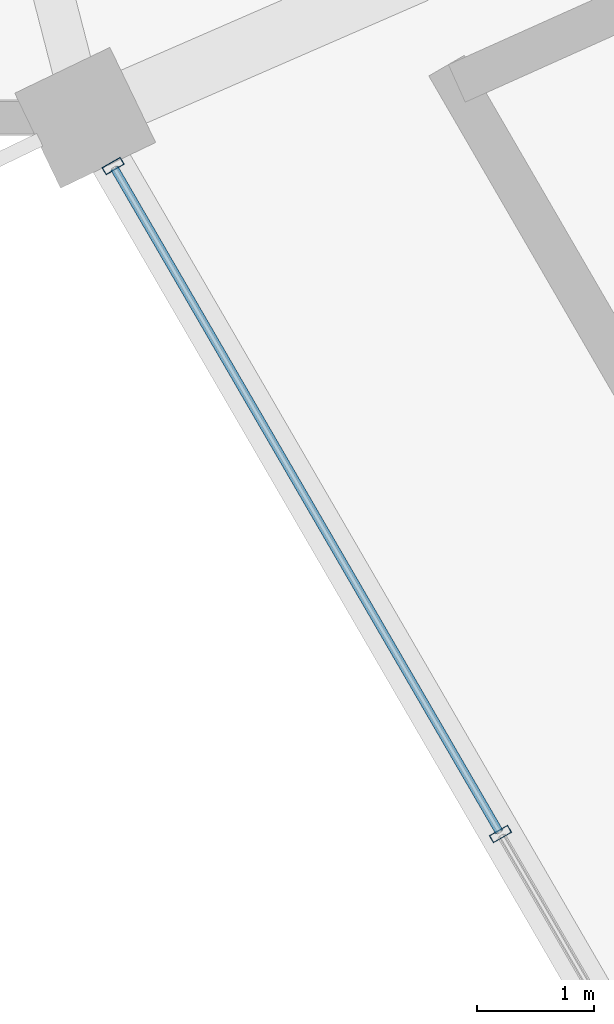
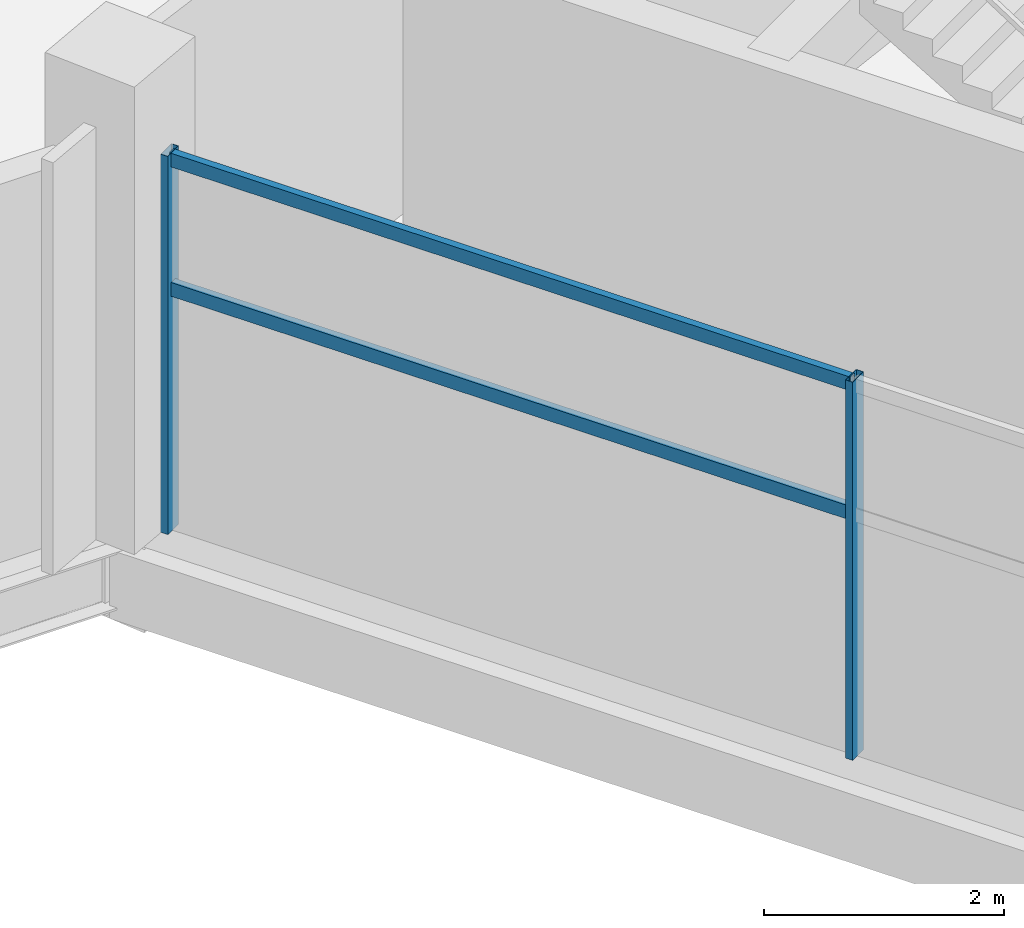
# One storey, part 6 of 156: 4 members, 1 element without a shape of its own.
"""IFC4 building model written with IfcOpenShell, lengths in metres."""

from ifc_helpers import new_model, si_unit, direction, frame, origin, origin_2d, place, context, subcontext, project, spatial, hollow_rectangle, extrude, material, layer, layer_set, material_profile, profile_set, type_object, element, aggregate, save


model = new_model("IFC4")

# Units and contexts
model_context = context("Model", 3, precision=1e-05, world=origin(), true_north=direction((0.0, 1.0)))
body_context = subcontext(model_context, "Body", "Model", "MODEL_VIEW")
ifc_project = project(units=[si_unit("LENGTHUNIT", "METRE"), si_unit("AREAUNIT", "SQUARE_METRE"), si_unit("VOLUMEUNIT", "CUBIC_METRE"), si_unit("PLANEANGLEUNIT", "RADIAN"), si_unit("MASSUNIT", "GRAM", prefix="KILO")], contexts=[model_context])

# Site, building, storey
site_placement = place(None, origin())
site = spatial("IfcSite", under=ifc_project, at=site_placement, CompositionType="ELEMENT")
building_placement = place(site_placement, origin())
building = spatial("IfcBuilding", under=site, at=building_placement, Name="Kazemori Nagisa Stadium", CompositionType="ELEMENT")
storey_placement = place(building_placement, frame((0.0, 0.0, 5.780029296875)))
storey = spatial("IfcBuildingStorey", under=building, at=storey_placement, Name="L01", CompositionType="ELEMENT", Elevation=5.780029296875)

# Curtain wall, members
ifc_material_1 = material(Name="Anodised aluminium 6063-T5", Category="aluminium")
ifc_layer = layer(ifc_material_1, 0.179931640625, Name="Anodised aluminium 6063-T5", Category="aluminium")
ifc_layer_set = layer_set([ifc_layer], Name="Anodised aluminium 6063-T5")
curtain_wall_type = type_object("IfcCurtainWallType", Name="CW_L01R3_99", PredefinedType="USERDEFINED", material=ifc_layer_set)
curtain_wall_placement = place(storey_placement, origin())
curtain_wall = element("IfcCurtainWall", 1, at=curtain_wall_placement, inside=storey, type_object=curtain_wall_type, Name="Unitised curtain wall CW-L01R3-99 L01", ObjectType="UNITISED CURTAIN WALL", PredefinedType="USERDEFINED")
ifc_material_2 = material(Name="Aluminium 6063-T5 anodised", Category="aluminium")
ifc_material_profile_1 = material_profile(ifc_material_2, hollow_rectangle(XDim=0.070068359375, YDim=0.179931640625, WallThickness=0.00390625, at=origin_2d()), Name="ALU-MULL-70x180x4")
ifc_profile_set_1 = profile_set([ifc_material_profile_1], Name="Aluminium 6063-T5 anodised")
member_type_1 = type_object("IfcMemberType", Name="Mullion_M01", PredefinedType="MULLION", material=ifc_profile_set_1)
member_1_placement = place(storey_placement, frame((34.353271484375, 62.839599609375, 0.0), z_axis=(0.0, 0.0, 1.0), x_axis=(0.501611590054, -0.865092950337, 0.0)))
member_1 = element("IfcMember", 2, at=member_1_placement, type_object=member_type_1, Name="Curtain wall mullion CW-L01R3-99-M1", PredefinedType="MULLION", context=body_context, shape_type="SweptSolid", body=[
    extrude(hollow_rectangle(XDim=0.070068359375, YDim=0.179931640625, WallThickness=0.00390625, at=origin_2d()), origin(), (0.0, 0.0, 1.0), 3.849853515625),
])
member_2_placement = place(storey_placement, frame((37.65771484375, 57.140869140625, 0.0), z_axis=(0.0, 0.0, 1.0), x_axis=(0.501611590054, -0.865092950337, 0.0)))
member_2 = element("IfcMember", 3, at=member_2_placement, type_object=member_type_1, Name="Curtain wall mullion CW-L01R3-99-M2", PredefinedType="MULLION", context=body_context, shape_type="SweptSolid", body=[
    extrude(hollow_rectangle(XDim=0.070068359375, YDim=0.179931640625, WallThickness=0.00390625, at=origin_2d()), origin(), (0.0, 0.0, 1.0), 3.849853515625),
])
ifc_material_profile_2 = material_profile(ifc_material_2, hollow_rectangle(XDim=0.070068359375, YDim=0.139892578125, WallThickness=0.00390625, at=origin_2d()), Name="ALU-TRAN-70x140x4")
ifc_profile_set_2 = profile_set([ifc_material_profile_2], Name="Aluminium 6063-T5 anodised")
member_type_2 = type_object("IfcMemberType", Name="Transom_T01", PredefinedType="USERDEFINED", material=ifc_profile_set_2)
member_3_placement = place(storey_placement, frame((34.36328125, 62.822265625, 2.4638671875), z_axis=(0.501634382126, -0.865079734284, 0.0), x_axis=(0.865079734284, 0.501634382126, 0.0)))
member_3 = element("IfcMember", 4, at=member_3_placement, type_object=member_type_2, Name="Curtain wall transom CW-L01R3-99-T1-mid", ObjectType="TRANSOM", PredefinedType="USERDEFINED", context=body_context, shape_type="SweptSolid", body=[
    extrude(hollow_rectangle(XDim=0.070068359375, YDim=0.139892578125, WallThickness=0.00390625, at=origin_2d()), origin(), (0.0, 0.0, 1.0), 6.54736328125),
])
member_4_placement = place(storey_placement, frame((34.36328125, 62.822265625, 3.780029296875), z_axis=(0.501634382126, -0.865079734284, 0.0), x_axis=(0.865079734284, 0.501634382126, 0.0)))
member_4 = element("IfcMember", 5, at=member_4_placement, type_object=member_type_2, Name="Curtain wall transom CW-L01R3-99-T1-head", ObjectType="TRANSOM", PredefinedType="USERDEFINED", context=body_context, shape_type="SweptSolid", body=[
    extrude(hollow_rectangle(XDim=0.070068359375, YDim=0.139892578125, WallThickness=0.00390625, at=origin_2d()), origin(), (0.0, 0.0, 1.0), 6.54736328125),
])
aggregate(curtain_wall, [member_1, member_2, member_3, member_4])

save(model, "model.ifc")
